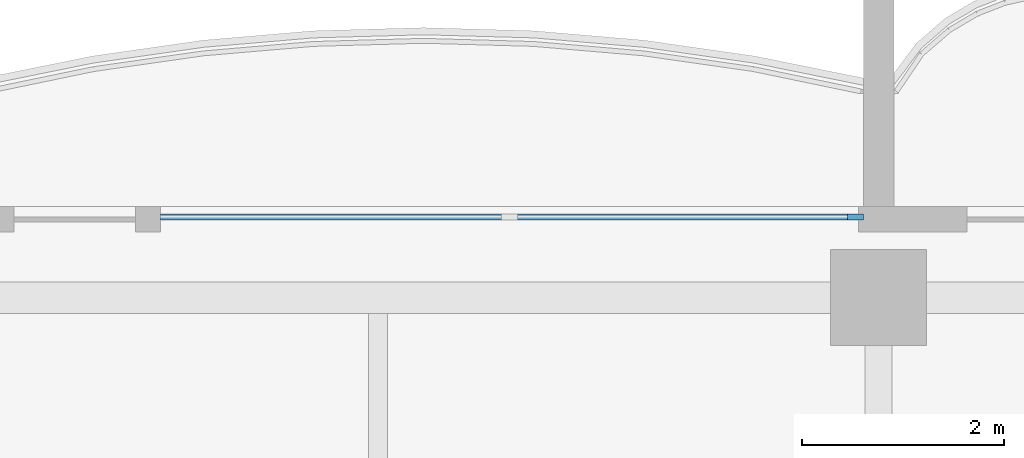
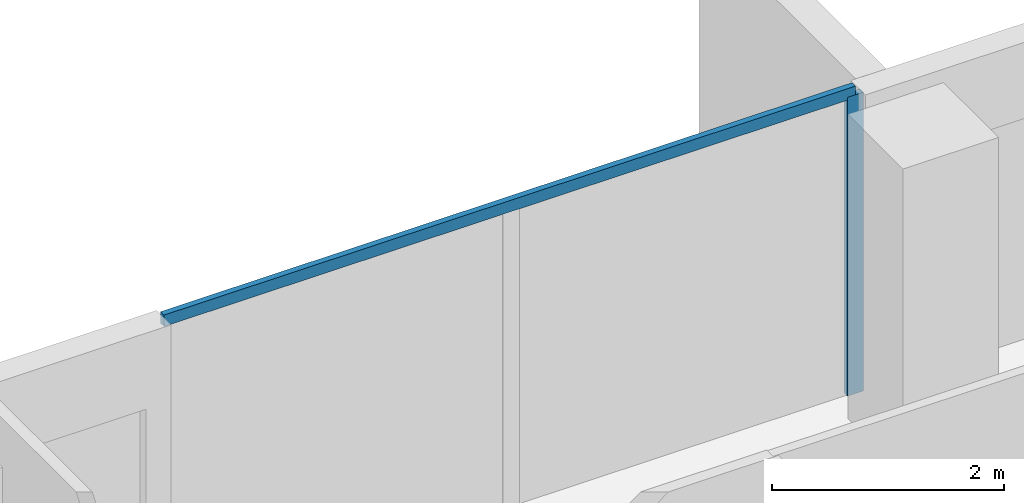
# One storey, part 6 of 18: 2 members, 1 element without a shape of its own.
"""IFC4 building model written with IfcOpenShell, lengths in metres."""

from ifc_helpers import new_model, si_unit, direction, frame, origin, origin_2d, place, context, subcontext, project, spatial, rectangle, extrude, material, material_profile, profile_set, type_object, element, aggregate, save


model = new_model("IFC4")

# Units and contexts
model_context = context("Model", 3, precision=1e-05, world=origin(), true_north=direction((0.0, 1.0)))
body_context = subcontext(model_context, "Body", "Model", "MODEL_VIEW")
ifc_project = project(units=[si_unit("LENGTHUNIT", "METRE"), si_unit("AREAUNIT", "SQUARE_METRE"), si_unit("VOLUMEUNIT", "CUBIC_METRE"), si_unit("PLANEANGLEUNIT", "RADIAN"), si_unit("MASSUNIT", "GRAM", prefix="KILO")], contexts=[model_context])

# Site, building, storey
site_placement = place(None, origin())
site = spatial("IfcSite", under=ifc_project, at=site_placement, CompositionType="ELEMENT")
building_placement = place(site_placement, origin())
building = spatial("IfcBuilding", under=site, at=building_placement, Name="Perihelion Cross Residences", CompositionType="ELEMENT")
storey_placement = place(building_placement, frame((0.0, 0.0, 219.10009765625)))
storey = spatial("IfcBuildingStorey", under=building, at=storey_placement, Name="L55", CompositionType="ELEMENT", Elevation=219.10009765625)

# Curtain wall, members
ifc_material_1 = material(Name="Bronze anodised aluminium, tinted glazing", Category="aluminium")
curtain_wall_type = type_object("IfcCurtainWallType", Name="CW1", PredefinedType="NOTDEFINED", material=ifc_material_1)
curtain_wall_placement = place(storey_placement, origin())
curtain_wall = element("IfcCurtainWall", 1, at=curtain_wall_placement, inside=storey, type_object=curtain_wall_type, Name="Curtain wall CW1 L55 east side north bay 2", PredefinedType="NOTDEFINED")
ifc_material_2 = material(Name="Bronze anodised aluminium", Category="aluminium")
ifc_material_profile_1 = material_profile(ifc_material_2, rectangle(XDim=0.06005859375, YDim=0.159912109375, at=origin_2d()), Name="CW1 mullion")
ifc_profile_set_1 = profile_set([ifc_material_profile_1], Name="Bronze anodised aluminium")
member_type_1 = type_object("IfcMemberType", Name="CW1 mullion", PredefinedType="MULLION", material=ifc_profile_set_1)
member_1_placement = place(storey_placement, frame((17.77001953125, 8.89990234375, 0.0), z_axis=(0.0, 0.0, 1.0), x_axis=(0.0, -1.0, 0.0)))
member_1 = element("IfcMember", 2, at=member_1_placement, type_object=member_type_1, Name="CW1 mullion 1", PredefinedType="MULLION", context=body_context, shape_type="SweptSolid", body=[
    extrude(rectangle(XDim=0.06005859375, YDim=0.159912109375, at=origin_2d()), origin(), (0.0, 0.0, 1.0), 3.139892578125),
])
ifc_material_3 = material(Name="Bronze anodised aluminium", Category="aluminium")
ifc_material_profile_2 = material_profile(ifc_material_3, rectangle(XDim=0.06005859375, YDim=0.1201171875, at=origin_2d()), Name="CW1 transom")
ifc_profile_set_2 = profile_set([ifc_material_profile_2], Name="Bronze anodised aluminium")
member_type_2 = type_object("IfcMemberType", Name="CW1 transom", PredefinedType="USERDEFINED", material=ifc_profile_set_2)
member_2_placement = place(storey_placement, frame((17.77001953125, 8.89990234375, 3.169921875), z_axis=(-1.0, 0.0, 0.0), x_axis=(0.0, -1.0, 0.0)))
member_2 = element("IfcMember", 3, at=member_2_placement, type_object=member_type_2, Name="CW1 head transom", ObjectType="TRANSOM", PredefinedType="USERDEFINED", context=body_context, shape_type="SweptSolid", body=[
    extrude(rectangle(XDim=0.06005859375, YDim=0.1201171875, at=origin_2d()), origin(), (0.0, 0.0, 1.0), 6.8701171875),
])
aggregate(curtain_wall, [member_1, member_2])

save(model, "model.ifc")
